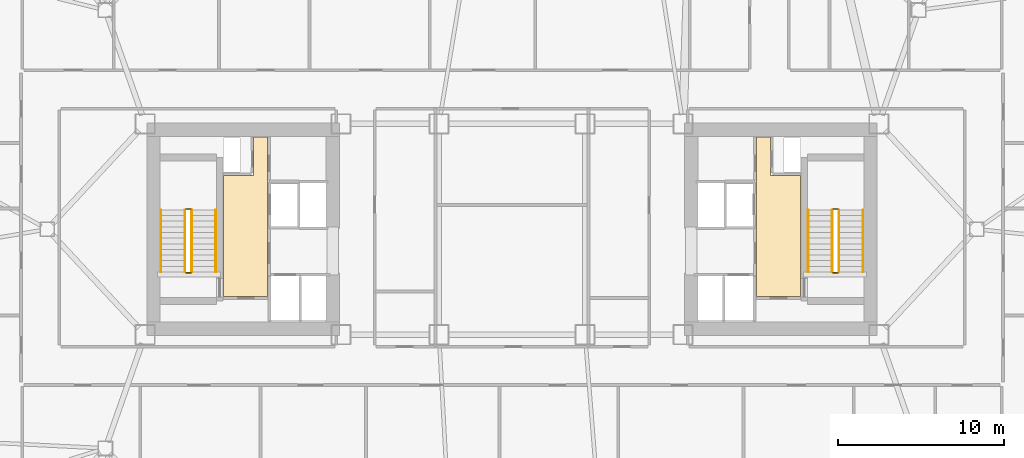
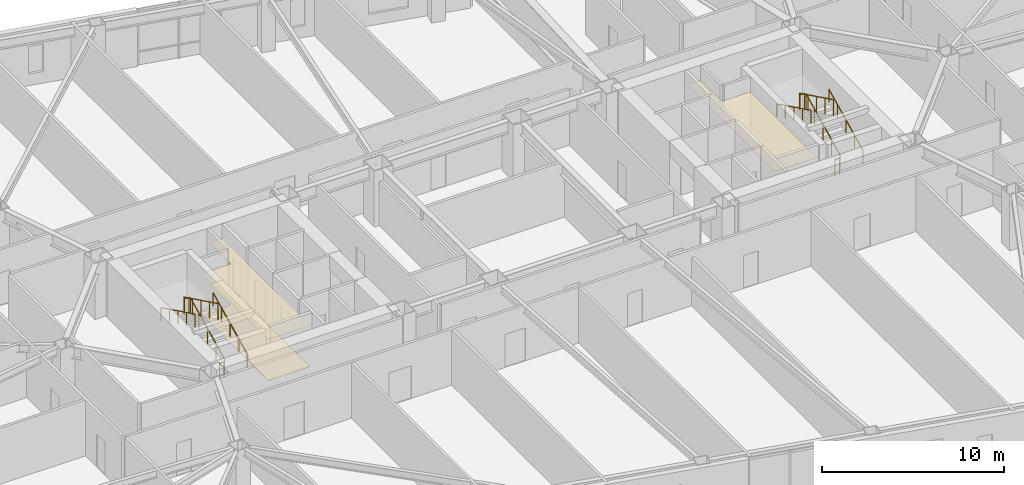
# One storey, part 20 of 20: 12 railings, 3 coverings.
"""IFC4 building model written with IfcOpenShell, lengths in metres."""

from ifc_helpers import new_model, si_unit, direction, frame, origin, origin_2d, place, context, subcontext, project, spatial, polyline, rectangle, outline, extrude, material, layer, layer_set, type_object, element, save


model = new_model("IFC4")

# Units and contexts
model_context = context("Model", 3, precision=1e-05, world=origin(), true_north=direction((0.0, 1.0)))
body_context = subcontext(model_context, "Body", "Model", "MODEL_VIEW")
ifc_project = project(units=[si_unit("LENGTHUNIT", "METRE"), si_unit("AREAUNIT", "SQUARE_METRE"), si_unit("VOLUMEUNIT", "CUBIC_METRE"), si_unit("PLANEANGLEUNIT", "RADIAN"), si_unit("MASSUNIT", "GRAM", prefix="KILO")], contexts=[model_context])

# Site, building, storey
site_placement = place(None, origin())
site = spatial("IfcSite", under=ifc_project, at=site_placement, CompositionType="ELEMENT")
building_placement = place(site_placement, origin())
building = spatial("IfcBuilding", under=site, at=building_placement, Name="Tavrogorsk Clinical Tower", CompositionType="ELEMENT")
storey_placement = place(building_placement, frame((0.0, 0.0, 67.39990234375)))
storey = spatial("IfcBuildingStorey", under=building, at=storey_placement, Name="L14", CompositionType="ELEMENT", Elevation=67.39990234375)

# Coverings
ifc_material_1 = material(Name="Antibacterial micro-perforated aluminium ceiling", Category="aluminium")
ifc_layer_1 = layer(ifc_material_1, 0.014892578125)
ifc_layer_set_1 = layer_set([ifc_layer_1], Name="Antibacterial micro-perforated aluminium ceiling")
covering_type_1 = type_object("IfcCoveringType", Name="ClinicalCeiling_15", PredefinedType="CEILING", material=ifc_layer_set_1)
covering_1_placement = place(storey_placement, frame((0.0, 0.0, 2.75)))
element("IfcCovering", 1, at=covering_1_placement, inside=storey, type_object=covering_type_1, Name="Core West Firefighting Lift Lobby Acoustic Ceiling", PredefinedType="CEILING", context=body_context, shape_type="SweptSolid", body=[
    extrude(outline(polyline([(-14.719970703125, 5.56005859375), (-14.719970703125, -4.06005859375), (-17.3798828125, -4.06005859375), (-17.3798828125, 3.239990234375), (-15.56005859375, 3.239990234375), (-15.56005859375, 5.56005859375), (-14.719970703125, 5.56005859375)])), origin(), (0.0, 0.0, 1.0), 0.01513671875),
])
covering_2_placement = place(storey_placement, frame((0.0, 0.0, 2.75)))
element("IfcCovering", 2, at=covering_2_placement, inside=storey, type_object=covering_type_1, Name="Core East Firefighting Lift Lobby Acoustic Ceiling", PredefinedType="CEILING", context=body_context, shape_type="SweptSolid", body=[
    extrude(outline(polyline([(17.3798828125, -4.06005859375), (14.719970703125, -4.06005859375), (14.719970703125, 5.56005859375), (15.56005859375, 5.56005859375), (15.56005859375, 3.239990234375), (17.3798828125, 3.239990234375), (17.3798828125, -4.06005859375)])), origin(), (0.0, 0.0, 1.0), 0.01513671875),
])
ifc_material_2 = material(Name="Homogeneous medical conductive PVC flooring")
ifc_layer_2 = layer(ifc_material_2, 0.008056640625)
ifc_layer_set_2 = layer_set([ifc_layer_2], Name="Homogeneous medical conductive PVC flooring")
covering_type_2 = type_object("IfcCoveringType", Name="ResilientVinylFloor_8", PredefinedType="FLOORING", material=ifc_layer_set_2)
covering_3_placement = place(storey_placement, origin())
element("IfcCovering", 3, at=covering_3_placement, inside=storey, type_object=covering_type_2, Name="Core West Firefighting Lift Lobby Conductive Vinyl Flooring", PredefinedType="FLOORING", context=body_context, shape_type="SweptSolid", body=[
    extrude(outline(polyline([(-14.719970703125, 5.56005859375), (-14.719970703125, -4.06005859375), (-17.3798828125, -4.06005859375), (-17.3798828125, 3.239990234375), (-15.56005859375, 3.239990234375), (-15.56005859375, 5.56005859375), (-14.719970703125, 5.56005859375)])), origin(), (0.0, 0.0, 1.0), 0.008056640625),
])

# Railings
ifc_material_3 = material(Name="Galvanised steel S355 safety stairwell guard", Category="steel")
ifc_layer_3 = layer(ifc_material_3, 0.06005859375)
ifc_layer_set_3 = layer_set([ifc_layer_3], Name="Galvanised steel S355 safety stairwell guard")
railing_type_1 = type_object("IfcRailingType", Name="StairGuard_1150", PredefinedType="GUARDRAIL", material=ifc_layer_set_3)
railing_1_placement = place(storey_placement, frame((-19.300048828125, -2.574951171875, 0.166748046875)))
element("IfcRailing", 4, at=railing_1_placement, inside=storey, type_object=railing_type_1, Name="L14 ST-W stair guard 1", PredefinedType="GUARDRAIL", context=body_context, shape_type="SweptSolid", body=[
    extrude(rectangle(XDim=0.048095703125, YDim=0.048095703125, at=origin_2d()), frame((0.0, 0.0, 1.076171875), z_axis=(0.0, 0.897927990467, 0.440142390523), x_axis=(-1.0, 0.0, 0.0)), (0.0, 0.0, 1.0), 4.1650390625),
    extrude(rectangle(XDim=0.0419921875, YDim=0.0419921875, at=origin_2d()), origin(), (0.0, 0.0, 1.0), 1.052001953125),
    extrude(rectangle(XDim=0.0419921875, YDim=0.0419921875, at=origin_2d()), frame((0.0, 0.93505859375, 0.458251953125)), (0.0, 0.0, 1.0), 1.052001953125),
    extrude(rectangle(XDim=0.0419921875, YDim=0.0419921875, at=origin_2d()), frame((0.0, 1.8701171875, 0.91650390625)), (0.0, 0.0, 1.0), 1.052001953125),
    extrude(rectangle(XDim=0.0419921875, YDim=0.0419921875, at=origin_2d()), frame((0.0, 2.804931640625, 1.375)), (0.0, 0.0, 1.0), 1.052001953125),
    extrude(rectangle(XDim=0.0419921875, YDim=0.0419921875, at=origin_2d()), frame((0.0, 3.739990234375, 1.833251953125)), (0.0, 0.0, 1.0), 1.052001953125),
])
railing_2_placement = place(storey_placement, frame((-19.35009765625, 1.215087890625, 2.0)))
element("IfcRailing", 5, at=railing_2_placement, inside=storey, type_object=railing_type_1, Name="L14 ST-W stair guard 2", PredefinedType="GUARDRAIL", context=body_context, shape_type="SweptSolid", body=[
    extrude(rectangle(XDim=0.048095703125, YDim=0.048095703125, at=origin_2d()), frame((0.0, 0.0, 1.076171875), z_axis=(-1.0, 0.0, 0.0), x_axis=(0.0, -1.0, 0.0)), (0.0, 0.0, 1.0), 0.2998046875),
    extrude(rectangle(XDim=0.0419921875, YDim=0.0419921875, at=origin_2d()), origin(), (0.0, 0.0, 1.0), 1.052001953125),
    extrude(rectangle(XDim=0.0419921875, YDim=0.0419921875, at=origin_2d()), frame((-0.2998046875, 0.0, 0.0)), (0.0, 0.0, 1.0), 1.052001953125),
])
railing_3_placement = place(storey_placement, frame((-19.699951171875, 1.1650390625, 2.166748046875)))
element("IfcRailing", 6, at=railing_3_placement, inside=storey, type_object=railing_type_1, Name="L14 ST-W stair guard 3", PredefinedType="GUARDRAIL", context=body_context, shape_type="SweptSolid", body=[
    extrude(rectangle(XDim=0.048095703125, YDim=0.048095703125, at=origin_2d()), frame((0.0, 0.0, 1.076171875), z_axis=(0.0, -0.897927990467, 0.440142390523), x_axis=(1.0, 0.0, 0.0)), (0.0, 0.0, 1.0), 4.1650390625),
    extrude(rectangle(XDim=0.0419921875, YDim=0.0419921875, at=origin_2d()), origin(), (0.0, 0.0, 1.0), 1.052001953125),
    extrude(rectangle(XDim=0.0419921875, YDim=0.0419921875, at=origin_2d()), frame((0.0, -0.93505859375, 0.458251953125)), (0.0, 0.0, 1.0), 1.052001953125),
    extrude(rectangle(XDim=0.0419921875, YDim=0.0419921875, at=origin_2d()), frame((0.0, -1.8701171875, 0.91650390625)), (0.0, 0.0, 1.0), 1.052001953125),
    extrude(rectangle(XDim=0.0419921875, YDim=0.0419921875, at=origin_2d()), frame((0.0, -2.804931640625, 1.375)), (0.0, 0.0, 1.0), 1.052001953125),
    extrude(rectangle(XDim=0.0419921875, YDim=0.0419921875, at=origin_2d()), frame((0.0, -3.739990234375, 1.833251953125)), (0.0, 0.0, 1.0), 1.052001953125),
])
railing_4_placement = place(storey_placement, frame((-19.35009765625, -2.625, 0.0)))
element("IfcRailing", 7, at=railing_4_placement, inside=storey, type_object=railing_type_1, Name="L14 ST-W stair guard 4", PredefinedType="GUARDRAIL", context=body_context, shape_type="SweptSolid", body=[
    extrude(rectangle(XDim=0.048095703125, YDim=0.048095703125, at=origin_2d()), frame((0.0, 0.0, 1.076171875), z_axis=(-1.0, 0.0, 0.0), x_axis=(0.0, -1.0, 0.0)), (0.0, 0.0, 1.0), 0.2998046875),
    extrude(rectangle(XDim=0.0419921875, YDim=0.0419921875, at=origin_2d()), origin(), (0.0, 0.0, 1.0), 1.052001953125),
    extrude(rectangle(XDim=0.0419921875, YDim=0.0419921875, at=origin_2d()), frame((-0.2998046875, 0.0, 0.0)), (0.0, 0.0, 1.0), 1.052001953125),
])
railing_5_placement = place(storey_placement, frame((19.699951171875, -2.574951171875, 0.166748046875)))
element("IfcRailing", 8, at=railing_5_placement, inside=storey, type_object=railing_type_1, Name="L14 ST-E stair guard 1", PredefinedType="GUARDRAIL", context=body_context, shape_type="SweptSolid", body=[
    extrude(rectangle(XDim=0.048095703125, YDim=0.048095703125, at=origin_2d()), frame((0.0, 0.0, 1.076171875), z_axis=(0.0, 0.897927990467, 0.440142390523), x_axis=(-1.0, 0.0, 0.0)), (0.0, 0.0, 1.0), 4.1650390625),
    extrude(rectangle(XDim=0.0419921875, YDim=0.0419921875, at=origin_2d()), origin(), (0.0, 0.0, 1.0), 1.052001953125),
    extrude(rectangle(XDim=0.0419921875, YDim=0.0419921875, at=origin_2d()), frame((0.0, 0.93505859375, 0.458251953125)), (0.0, 0.0, 1.0), 1.052001953125),
    extrude(rectangle(XDim=0.0419921875, YDim=0.0419921875, at=origin_2d()), frame((0.0, 1.8701171875, 0.91650390625)), (0.0, 0.0, 1.0), 1.052001953125),
    extrude(rectangle(XDim=0.0419921875, YDim=0.0419921875, at=origin_2d()), frame((0.0, 2.804931640625, 1.375)), (0.0, 0.0, 1.0), 1.052001953125),
    extrude(rectangle(XDim=0.0419921875, YDim=0.0419921875, at=origin_2d()), frame((0.0, 3.739990234375, 1.833251953125)), (0.0, 0.0, 1.0), 1.052001953125),
])
railing_6_placement = place(storey_placement, frame((19.64990234375, 1.215087890625, 2.0)))
element("IfcRailing", 9, at=railing_6_placement, inside=storey, type_object=railing_type_1, Name="L14 ST-E stair guard 2", PredefinedType="GUARDRAIL", context=body_context, shape_type="SweptSolid", body=[
    extrude(rectangle(XDim=0.048095703125, YDim=0.048095703125, at=origin_2d()), frame((0.0, 0.0, 1.076171875), z_axis=(-1.0, 0.0, 0.0), x_axis=(0.0, -1.0, 0.0)), (0.0, 0.0, 1.0), 0.2998046875),
    extrude(rectangle(XDim=0.0419921875, YDim=0.0419921875, at=origin_2d()), origin(), (0.0, 0.0, 1.0), 1.052001953125),
    extrude(rectangle(XDim=0.0419921875, YDim=0.0419921875, at=origin_2d()), frame((-0.2998046875, 0.0, 0.0)), (0.0, 0.0, 1.0), 1.052001953125),
])
railing_7_placement = place(storey_placement, frame((19.300048828125, 1.1650390625, 2.166748046875)))
element("IfcRailing", 10, at=railing_7_placement, inside=storey, type_object=railing_type_1, Name="L14 ST-E stair guard 3", PredefinedType="GUARDRAIL", context=body_context, shape_type="SweptSolid", body=[
    extrude(rectangle(XDim=0.048095703125, YDim=0.048095703125, at=origin_2d()), frame((0.0, 0.0, 1.076171875), z_axis=(0.0, -0.897927990467, 0.440142390523), x_axis=(1.0, 0.0, 0.0)), (0.0, 0.0, 1.0), 4.1650390625),
    extrude(rectangle(XDim=0.0419921875, YDim=0.0419921875, at=origin_2d()), origin(), (0.0, 0.0, 1.0), 1.052001953125),
    extrude(rectangle(XDim=0.0419921875, YDim=0.0419921875, at=origin_2d()), frame((0.0, -0.93505859375, 0.458251953125)), (0.0, 0.0, 1.0), 1.052001953125),
    extrude(rectangle(XDim=0.0419921875, YDim=0.0419921875, at=origin_2d()), frame((0.0, -1.8701171875, 0.91650390625)), (0.0, 0.0, 1.0), 1.052001953125),
    extrude(rectangle(XDim=0.0419921875, YDim=0.0419921875, at=origin_2d()), frame((0.0, -2.804931640625, 1.375)), (0.0, 0.0, 1.0), 1.052001953125),
    extrude(rectangle(XDim=0.0419921875, YDim=0.0419921875, at=origin_2d()), frame((0.0, -3.739990234375, 1.833251953125)), (0.0, 0.0, 1.0), 1.052001953125),
])
railing_8_placement = place(storey_placement, frame((19.64990234375, -2.625, 0.0)))
element("IfcRailing", 11, at=railing_8_placement, inside=storey, type_object=railing_type_1, Name="L14 ST-E stair guard 4", PredefinedType="GUARDRAIL", context=body_context, shape_type="SweptSolid", body=[
    extrude(rectangle(XDim=0.048095703125, YDim=0.048095703125, at=origin_2d()), frame((0.0, 0.0, 1.076171875), z_axis=(-1.0, 0.0, 0.0), x_axis=(0.0, -1.0, 0.0)), (0.0, 0.0, 1.0), 0.2998046875),
    extrude(rectangle(XDim=0.0419921875, YDim=0.0419921875, at=origin_2d()), origin(), (0.0, 0.0, 1.0), 1.052001953125),
    extrude(rectangle(XDim=0.0419921875, YDim=0.0419921875, at=origin_2d()), frame((-0.2998046875, 0.0, 0.0)), (0.0, 0.0, 1.0), 1.052001953125),
])
ifc_material_4 = material(Name="Stainless steel AISI 304 tubular handrail", Category="steel")
ifc_layer_4 = layer(ifc_material_4, 0.050048828125)
ifc_layer_set_4 = layer_set([ifc_layer_4], Name="Stainless steel AISI 304 tubular handrail")
railing_type_2 = type_object("IfcRailingType", Name="StairHandrail_920", PredefinedType="HANDRAIL", material=ifc_layer_set_4)
railing_9_placement = place(storey_placement, frame((-17.85009765625, -2.574951171875, 0.166748046875)))
element("IfcRailing", 12, at=railing_9_placement, inside=storey, type_object=railing_type_2, Name="L14 ST-W stair handrail 1", PredefinedType="HANDRAIL", context=body_context, shape_type="SweptSolid", body=[
    extrude(rectangle(XDim=0.048095703125, YDim=0.048095703125, at=origin_2d()), frame((0.0, 0.0, 0.8759765625), z_axis=(0.0, 0.897927990467, 0.440142390523), x_axis=(-1.0, 0.0, 0.0)), (0.0, 0.0, 1.0), 4.1650390625),
    extrude(rectangle(XDim=0.0419921875, YDim=0.0419921875, at=origin_2d()), origin(), (0.0, 0.0, 1.0), 0.851806640625),
    extrude(rectangle(XDim=0.0419921875, YDim=0.0419921875, at=origin_2d()), frame((0.0, 0.93505859375, 0.458251953125)), (0.0, 0.0, 1.0), 0.851806640625),
    extrude(rectangle(XDim=0.0419921875, YDim=0.0419921875, at=origin_2d()), frame((0.0, 1.8701171875, 0.91650390625)), (0.0, 0.0, 1.0), 0.851806640625),
    extrude(rectangle(XDim=0.0419921875, YDim=0.0419921875, at=origin_2d()), frame((0.0, 2.804931640625, 1.375)), (0.0, 0.0, 1.0), 0.851806640625),
    extrude(rectangle(XDim=0.0419921875, YDim=0.0419921875, at=origin_2d()), frame((0.0, 3.739990234375, 1.833251953125)), (0.0, 0.0, 1.0), 0.851806640625),
])
railing_10_placement = place(storey_placement, frame((-21.14990234375, 1.1650390625, 2.166748046875)))
element("IfcRailing", 13, at=railing_10_placement, inside=storey, type_object=railing_type_2, Name="L14 ST-W stair handrail 2", PredefinedType="HANDRAIL", context=body_context, shape_type="SweptSolid", body=[
    extrude(rectangle(XDim=0.048095703125, YDim=0.048095703125, at=origin_2d()), frame((0.0, 0.0, 0.8759765625), z_axis=(0.0, -0.897927990467, 0.440142390523), x_axis=(1.0, 0.0, 0.0)), (0.0, 0.0, 1.0), 4.1650390625),
    extrude(rectangle(XDim=0.0419921875, YDim=0.0419921875, at=origin_2d()), origin(), (0.0, 0.0, 1.0), 0.851806640625),
    extrude(rectangle(XDim=0.0419921875, YDim=0.0419921875, at=origin_2d()), frame((0.0, -0.93505859375, 0.458251953125)), (0.0, 0.0, 1.0), 0.851806640625),
    extrude(rectangle(XDim=0.0419921875, YDim=0.0419921875, at=origin_2d()), frame((0.0, -1.8701171875, 0.91650390625)), (0.0, 0.0, 1.0), 0.851806640625),
    extrude(rectangle(XDim=0.0419921875, YDim=0.0419921875, at=origin_2d()), frame((0.0, -2.804931640625, 1.375)), (0.0, 0.0, 1.0), 0.851806640625),
    extrude(rectangle(XDim=0.0419921875, YDim=0.0419921875, at=origin_2d()), frame((0.0, -3.739990234375, 1.833251953125)), (0.0, 0.0, 1.0), 0.851806640625),
])
railing_11_placement = place(storey_placement, frame((21.14990234375, -2.574951171875, 0.166748046875)))
element("IfcRailing", 14, at=railing_11_placement, inside=storey, type_object=railing_type_2, Name="L14 ST-E stair handrail 1", PredefinedType="HANDRAIL", context=body_context, shape_type="SweptSolid", body=[
    extrude(rectangle(XDim=0.048095703125, YDim=0.048095703125, at=origin_2d()), frame((0.0, 0.0, 0.8759765625), z_axis=(0.0, 0.897927990467, 0.440142390523), x_axis=(-1.0, 0.0, 0.0)), (0.0, 0.0, 1.0), 4.1650390625),
    extrude(rectangle(XDim=0.0419921875, YDim=0.0419921875, at=origin_2d()), origin(), (0.0, 0.0, 1.0), 0.851806640625),
    extrude(rectangle(XDim=0.0419921875, YDim=0.0419921875, at=origin_2d()), frame((0.0, 0.93505859375, 0.458251953125)), (0.0, 0.0, 1.0), 0.851806640625),
    extrude(rectangle(XDim=0.0419921875, YDim=0.0419921875, at=origin_2d()), frame((0.0, 1.8701171875, 0.91650390625)), (0.0, 0.0, 1.0), 0.851806640625),
    extrude(rectangle(XDim=0.0419921875, YDim=0.0419921875, at=origin_2d()), frame((0.0, 2.804931640625, 1.375)), (0.0, 0.0, 1.0), 0.851806640625),
    extrude(rectangle(XDim=0.0419921875, YDim=0.0419921875, at=origin_2d()), frame((0.0, 3.739990234375, 1.833251953125)), (0.0, 0.0, 1.0), 0.851806640625),
])
railing_12_placement = place(storey_placement, frame((17.85009765625, 1.1650390625, 2.166748046875)))
element("IfcRailing", 15, at=railing_12_placement, inside=storey, type_object=railing_type_2, Name="L14 ST-E stair handrail 2", PredefinedType="HANDRAIL", context=body_context, shape_type="SweptSolid", body=[
    extrude(rectangle(XDim=0.048095703125, YDim=0.048095703125, at=origin_2d()), frame((0.0, 0.0, 0.8759765625), z_axis=(0.0, -0.897927990467, 0.440142390523), x_axis=(1.0, 0.0, 0.0)), (0.0, 0.0, 1.0), 4.1650390625),
    extrude(rectangle(XDim=0.0419921875, YDim=0.0419921875, at=origin_2d()), origin(), (0.0, 0.0, 1.0), 0.851806640625),
    extrude(rectangle(XDim=0.0419921875, YDim=0.0419921875, at=origin_2d()), frame((0.0, -0.93505859375, 0.458251953125)), (0.0, 0.0, 1.0), 0.851806640625),
    extrude(rectangle(XDim=0.0419921875, YDim=0.0419921875, at=origin_2d()), frame((0.0, -1.8701171875, 0.91650390625)), (0.0, 0.0, 1.0), 0.851806640625),
    extrude(rectangle(XDim=0.0419921875, YDim=0.0419921875, at=origin_2d()), frame((0.0, -2.804931640625, 1.375)), (0.0, 0.0, 1.0), 0.851806640625),
    extrude(rectangle(XDim=0.0419921875, YDim=0.0419921875, at=origin_2d()), frame((0.0, -3.739990234375, 1.833251953125)), (0.0, 0.0, 1.0), 0.851806640625),
])

save(model, "model.ifc")
